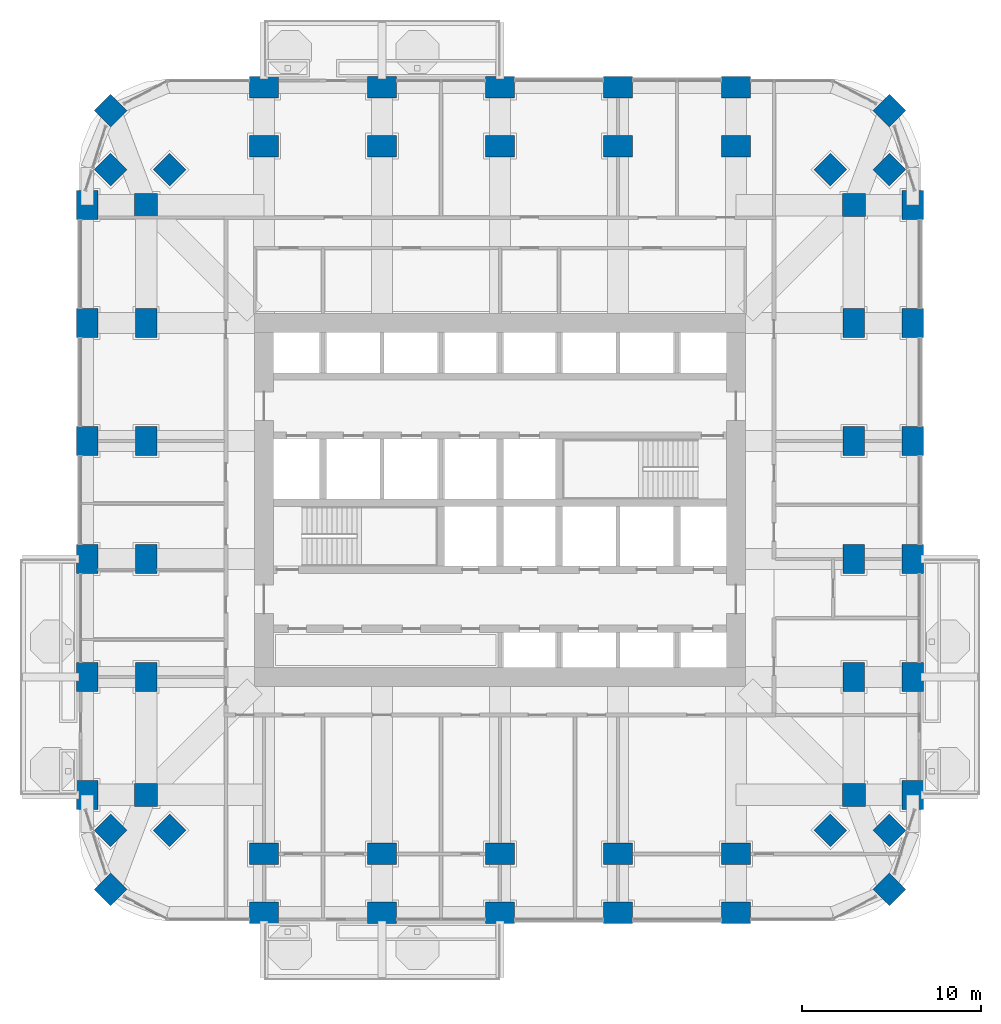
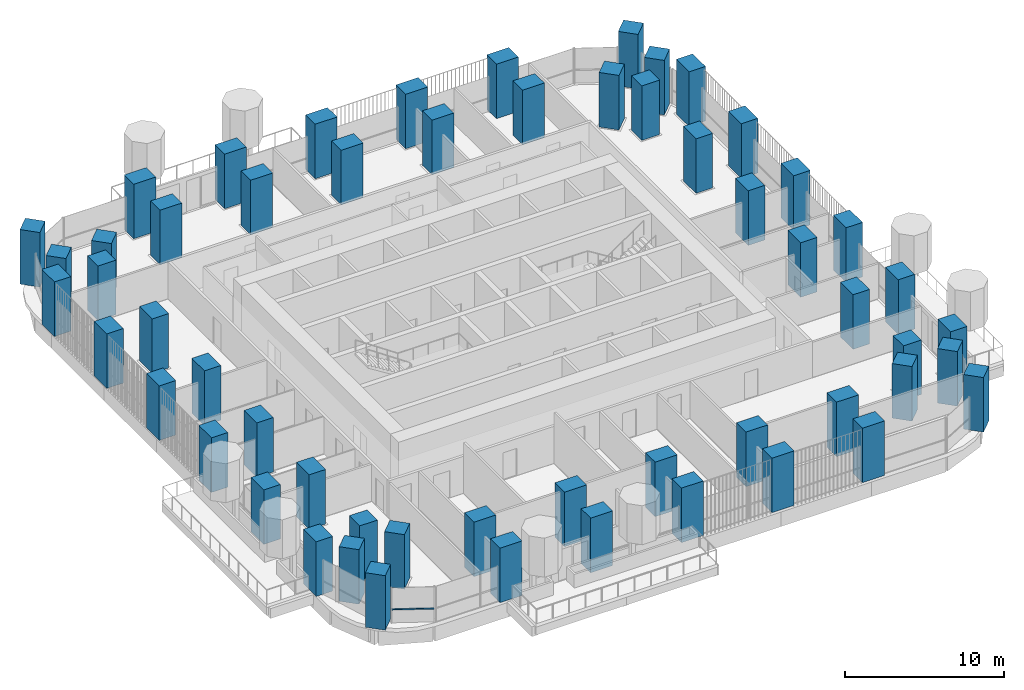
# One storey, part 1 of 21: 56 columns, 1 member, 1 element without a shape of its own.
"""IFC4 building model written with IfcOpenShell, lengths in metres."""

from ifc_helpers import new_model, si_unit, direction, frame, origin, origin_2d, place, context, subcontext, project, spatial, rectangle, extrude, material, material_profile, profile_set, type_object, element, aggregate, save


model = new_model("IFC4")

# Units and contexts
model_context = context("Model", 3, precision=1e-05, world=origin(), true_north=direction((0.0, 1.0)))
body_context = subcontext(model_context, "Body", "Model", "MODEL_VIEW")
ifc_project = project(units=[si_unit("LENGTHUNIT", "METRE"), si_unit("AREAUNIT", "SQUARE_METRE"), si_unit("VOLUMEUNIT", "CUBIC_METRE"), si_unit("PLANEANGLEUNIT", "RADIAN"), si_unit("MASSUNIT", "GRAM", prefix="KILO")], contexts=[model_context])

# Site, building, storey
site_placement = place(None, origin())
site = spatial("IfcSite", under=ifc_project, at=site_placement, CompositionType="ELEMENT")
building_placement = place(site_placement, origin())
building = spatial("IfcBuilding", under=site, at=building_placement, Name="Cobogo Forest Laboratory Tower", CompositionType="ELEMENT")
storey_placement = place(building_placement, frame((0.0, 0.0, 99.0)))
storey = spatial("IfcBuildingStorey", under=building, at=storey_placement, Name="L22", CompositionType="ELEMENT", Elevation=99.0)

# Columns
ifc_material_1 = material(Name="Concrete HA-50 (C50/60)", Category="concrete")
ifc_material_profile_1 = material_profile(ifc_material_1, rectangle(XDim=1.60009765625, YDim=1.199951171875, at=origin_2d()), Name="RC 1200x1600")
ifc_profile_set_1 = profile_set([ifc_material_profile_1], Name="Concrete HA-50 (C50/60)")
column_type_1 = type_object("IfcColumnType", Name="Blade column 1200x1600", PredefinedType="COLUMN", material=ifc_profile_set_1)
for number, where, z_axis, x_axis, name in (
    (1, (13.199951171875, 0.0, 0.0), (0.0, 0.0, 1.0), (1.0, 0.0, 0.0), "Column 3-A L22"),
    (2, (19.800048828125, 0.0, 0.0), (0.0, 0.0, 1.0), (1.0, 0.0, 0.0), "Column 4-A L22"),
    (3, (26.39990234375, 0.0, 0.0), (0.0, 0.0, 1.0), (1.0, 0.0, 0.0), "Column 5-A L22"),
    (4, (33.0, 0.0, 0.0), (0.0, 0.0, 1.0), (1.0, 0.0, 0.0), "Column 6-A L22"),
    (5, (39.60009765625, 0.0, 0.0), (0.0, 0.0, 1.0), (1.0, 0.0, 0.0), "Column 7-A L22"),
    (6, (3.300048828125, 6.60009765625, 0.0), (0.0, 0.0, 1.0), (0.0, 1.0, 0.0), "Column 1.1-B L22"),
    (7, (49.5, 6.60009765625, 0.0), (0.0, 0.0, 1.0), (0.0, 1.0, 0.0), "Column 8.1-B L22"),
    (8, (3.300048828125, 13.199951171875, 0.0), (0.0, 0.0, 1.0), (0.0, 1.0, 0.0), "Column 1.1-C L22"),
    (9, (49.5, 13.199951171875, 0.0), (0.0, 0.0, 1.0), (0.0, 1.0, 0.0), "Column 8.1-C L22"),
    (10, (3.300048828125, 19.800048828125, 0.0), (0.0, 0.0, 1.0), (0.0, 1.0, 0.0), "Column 1.1-D L22"),
    (11, (49.5, 19.800048828125, 0.0), (0.0, 0.0, 1.0), (0.0, 1.0, 0.0), "Column 8.1-D L22"),
    (12, (3.300048828125, 26.39990234375, 0.0), (0.0, 0.0, 1.0), (0.0, 1.0, 0.0), "Column 1.1-E L22"),
    (13, (49.5, 26.39990234375, 0.0), (0.0, 0.0, 1.0), (0.0, 1.0, 0.0), "Column 8.1-E L22"),
    (14, (3.300048828125, 33.0, 0.0), (0.0, 0.0, 1.0), (0.0, 1.0, 0.0), "Column 1.1-F L22"),
    (15, (49.5, 33.0, 0.0), (0.0, 0.0, 1.0), (0.0, 1.0, 0.0), "Column 8.1-F L22"),
    (16, (3.300048828125, 39.60009765625, 0.0), (0.0, 0.0, 1.0), (0.0, 1.0, 0.0), "Column 1.1-G L22"),
    (17, (49.5, 39.60009765625, 0.0), (0.0, 0.0, 1.0), (0.0, 1.0, 0.0), "Column 8.1-G L22"),
    (18, (13.199951171875, 46.199951171875, 0.0), (0.0, 0.0, 1.0), (1.0, 0.0, 0.0), "Column 3-H L22"),
    (19, (19.800048828125, 46.199951171875, 0.0), (0.0, 0.0, 1.0), (1.0, 0.0, 0.0), "Column 4-H L22"),
    (20, (26.39990234375, 46.199951171875, 0.0), (0.0, 0.0, 1.0), (1.0, 0.0, 0.0), "Column 5-H L22"),
    (21, (33.0, 46.199951171875, 0.0), (0.0, 0.0, 1.0), (1.0, 0.0, 0.0), "Column 6-H L22"),
    (22, (39.60009765625, 46.199951171875, 0.0), (0.0, 0.0, 1.0), (1.0, 0.0, 0.0), "Column 7-H L22"),
    (23, (13.199951171875, 3.300048828125, 0.0), (0.0, 0.0, 1.0), (1.0, 0.0, 0.0), "Column 3-A.1-C L22"),
    (24, (19.800048828125, 3.300048828125, 0.0), (0.0, 0.0, 1.0), (1.0, 0.0, 0.0), "Column 4-A.1-C L22"),
    (25, (26.39990234375, 3.300048828125, 0.0), (0.0, 0.0, 1.0), (1.0, 0.0, 0.0), "Column 5-A.1-C L22"),
    (26, (33.0, 3.300048828125, 0.0), (0.0, 0.0, 1.0), (1.0, 0.0, 0.0), "Column 6-A.1-C L22"),
    (27, (39.60009765625, 3.300048828125, 0.0), (0.0, 0.0, 1.0), (1.0, 0.0, 0.0), "Column 7-A.1-C L22"),
    (28, (13.199951171875, 42.89990234375, 0.0), (0.0, 0.0, 1.0), (1.0, 0.0, 0.0), "Column 3-G.1-C L22"),
    (29, (19.800048828125, 42.89990234375, 0.0), (0.0, 0.0, 1.0), (1.0, 0.0, 0.0), "Column 4-G.1-C L22"),
    (30, (26.39990234375, 42.89990234375, 0.0), (0.0, 0.0, 1.0), (1.0, 0.0, 0.0), "Column 5-G.1-C L22"),
    (31, (33.0, 42.89990234375, 0.0), (0.0, 0.0, 1.0), (1.0, 0.0, 0.0), "Column 6-G.1-C L22"),
    (32, (39.60009765625, 42.89990234375, 0.0), (0.0, 0.0, 1.0), (1.0, 0.0, 0.0), "Column 7-G.1-C L22"),
    (33, (6.60009765625, 13.199951171875, 0.0), (0.0, 0.0, 1.0), (0.0, 1.0, 0.0), "Column 2-C-D L22"),
    (34, (46.199951171875, 13.199951171875, 0.0), (0.0, 0.0, 1.0), (0.0, 1.0, 0.0), "Column 8-C-D L22"),
    (35, (6.60009765625, 19.800048828125, 0.0), (0.0, 0.0, 1.0), (0.0, 1.0, 0.0), "Column 2-D-D L22"),
    (36, (46.199951171875, 19.800048828125, 0.0), (0.0, 0.0, 1.0), (0.0, 1.0, 0.0), "Column 8-D-D L22"),
    (37, (6.60009765625, 26.39990234375, 0.0), (0.0, 0.0, 1.0), (0.0, 1.0, 0.0), "Column 2-E-D L22"),
    (38, (46.199951171875, 26.39990234375, 0.0), (0.0, 0.0, 1.0), (0.0, 1.0, 0.0), "Column 8-E-D L22"),
    (39, (6.60009765625, 33.0, 0.0), (0.0, 0.0, 1.0), (0.0, 1.0, 0.0), "Column 2-F-D L22"),
    (40, (46.199951171875, 33.0, 0.0), (0.0, 0.0, 1.0), (0.0, 1.0, 0.0), "Column 8-F-D L22"),
):
    element("IfcColumn", number, at=place(storey_placement, frame(where, z_axis=z_axis, x_axis=x_axis)), inside=storey, type_object=column_type_1, Name=name, PredefinedType="COLUMN", context=body_context, shape_type="SweptSolid", body=[
        extrude(rectangle(XDim=1.60009765625, YDim=1.199951171875, at=origin_2d()), origin(), (0.0, 0.0, 1.0), 4.199951171875),
    ])
ifc_material_profile_2 = material_profile(ifc_material_1, rectangle(XDim=1.300048828125, YDim=1.300048828125, at=origin_2d()), Name="RC 1300x1300")
ifc_profile_set_2 = profile_set([ifc_material_profile_2], Name="Concrete HA-50 (C50/60)")
column_type_2 = type_object("IfcColumnType", Name="Column 1300x1300", PredefinedType="COLUMN", material=ifc_profile_set_2)
for number, where, z_axis, x_axis, name in (
    (41, (4.617919921875, 1.318115234375, 0.0), (0.0, 0.0, 1.0), (0.707106781187, 0.707106781187, 0.0), "Column CNR-SW L22"),
    (42, (48.181884765625, 1.318115234375, 0.0), (0.0, 0.0, 1.0), (0.707106781187, 0.707106781187, 0.0), "Column CNR-SE L22"),
    (43, (4.617919921875, 44.882080078125, 0.0), (0.0, 0.0, 1.0), (0.707106781187, 0.707106781187, 0.0), "Column CNR-NW L22"),
    (44, (48.181884765625, 44.882080078125, 0.0), (0.0, 0.0, 1.0), (0.707106781187, 0.707106781187, 0.0), "Column CNR-NE L22"),
    (45, (6.60009765625, 6.60009765625, 0.0), (0.0, 0.0, 1.0), (1.0, 0.0, 0.0), "Column 2-B L22"),
    (46, (46.199951171875, 6.60009765625, 0.0), (0.0, 0.0, 1.0), (1.0, 0.0, 0.0), "Column 8-B L22"),
    (47, (6.60009765625, 39.60009765625, 0.0), (0.0, 0.0, 1.0), (1.0, 0.0, 0.0), "Column 2-G L22"),
    (48, (46.199951171875, 39.60009765625, 0.0), (0.0, 0.0, 1.0), (1.0, 0.0, 0.0), "Column 8-G L22"),
    (49, (4.617919921875, 4.617919921875, 0.0), (0.0, 0.0, 1.0), (0.707106781187, 0.707106781187, 0.0), "Column CNR-SW-C L22"),
    (50, (48.181884765625, 4.617919921875, 0.0), (0.0, 0.0, 1.0), (0.707106781187, 0.707106781187, 0.0), "Column CNR-SE-C L22"),
    (51, (4.617919921875, 41.58203125, 0.0), (0.0, 0.0, 1.0), (0.707106781187, 0.707106781187, 0.0), "Column CNR-NW-C L22"),
    (52, (48.181884765625, 41.58203125, 0.0), (0.0, 0.0, 1.0), (0.707106781187, 0.707106781187, 0.0), "Column CNR-NE-C L22"),
    (53, (7.91796875, 4.617919921875, 0.0), (0.0, 0.0, 1.0), (0.707106781187, 0.707106781187, 0.0), "Column CNR-SW-D L22"),
    (54, (44.882080078125, 4.617919921875, 0.0), (0.0, 0.0, 1.0), (0.707106781187, 0.707106781187, 0.0), "Column CNR-SE-D L22"),
    (55, (7.91796875, 41.58203125, 0.0), (0.0, 0.0, 1.0), (0.707106781187, 0.707106781187, 0.0), "Column CNR-NW-D L22"),
    (56, (44.882080078125, 41.58203125, 0.0), (0.0, 0.0, 1.0), (0.707106781187, 0.707106781187, 0.0), "Column CNR-NE-D L22"),
):
    element("IfcColumn", number, at=place(storey_placement, frame(where, z_axis=z_axis, x_axis=x_axis)), inside=storey, type_object=column_type_2, Name=name, PredefinedType="COLUMN", context=body_context, shape_type="SweptSolid", body=[
        extrude(rectangle(XDim=1.300048828125, YDim=1.300048828125, at=origin_2d()), origin(), (0.0, 0.0, 1.0), 4.199951171875),
    ])

# Curtain wall, member
ifc_material_2 = material(Name="Aluminium curtain wall", Category="aluminium")
curtain_wall_type = type_object("IfcCurtainWallType", Name="CW-1 unitised curtain wall, clear glazing, laboratory floors zones A and B", PredefinedType="USERDEFINED", material=ifc_material_2)
curtain_wall_placement = place(storey_placement, origin())
curtain_wall = element("IfcCurtainWall", 57, at=curtain_wall_placement, inside=storey, type_object=curtain_wall_type, Name="Curtain wall 34 L22", ObjectType="UNITISED CURTAIN WALL", PredefinedType="USERDEFINED")
ifc_material_3 = material(Name="Aluminium transom", Category="aluminium")
ifc_material_profile_3 = material_profile(ifc_material_3, rectangle(XDim=0.1201171875, YDim=0.06005859375, at=origin_2d()), Name="AL 60x120")
ifc_profile_set_3 = profile_set([ifc_material_profile_3], Name="Aluminium transom")
member_type = type_object("IfcMemberType", Name="TR-1 aluminium transom 60x120", PredefinedType="USERDEFINED", material=ifc_profile_set_3)
member_placement = place(storey_placement, frame((5.394775390625, 0.910888671875, 1.050048828125), z_axis=(0.885694740493, -0.464268054753, 0.0), x_axis=(0.464268054753, 0.885694740493, 0.0)))
member = element("IfcMember", 58, at=member_placement, type_object=member_type, Name="CW-1 transom 1.1", ObjectType="TRANSOM", PredefinedType="USERDEFINED", context=body_context, shape_type="SweptSolid", body=[
    extrude(rectangle(XDim=0.1201171875, YDim=0.06005859375, at=origin_2d()), origin(), (0.0, 0.0, 1.0), 2.655517578125),
])
aggregate(curtain_wall, [member])

save(model, "model.ifc")
